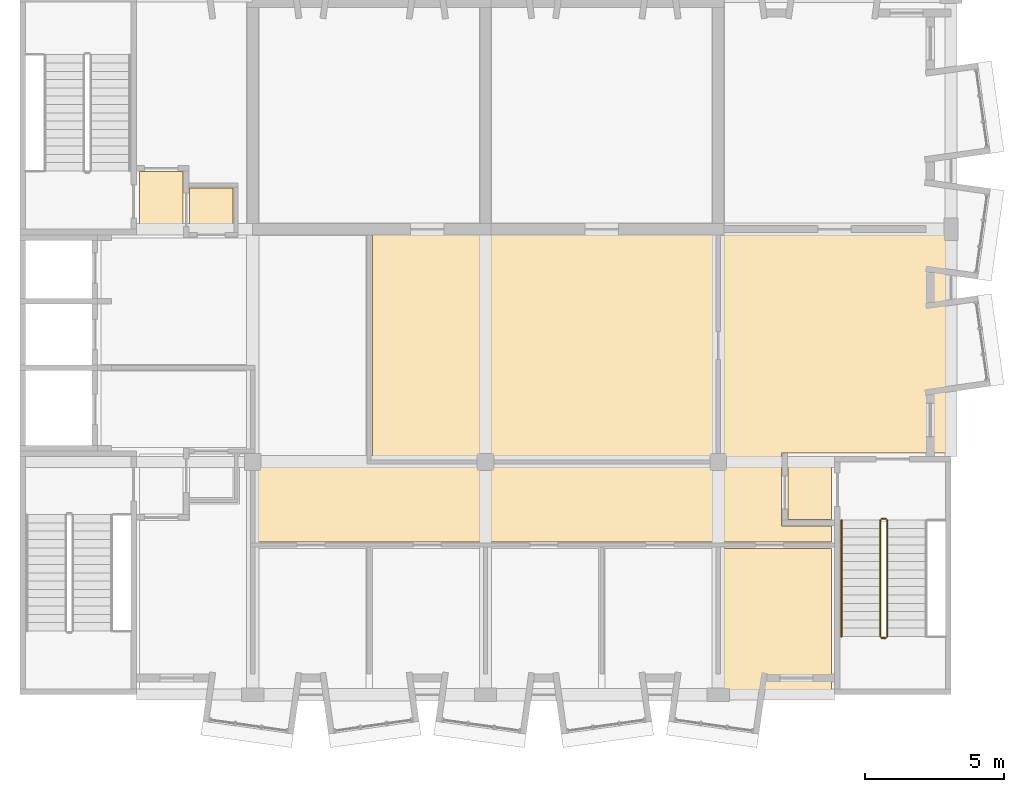
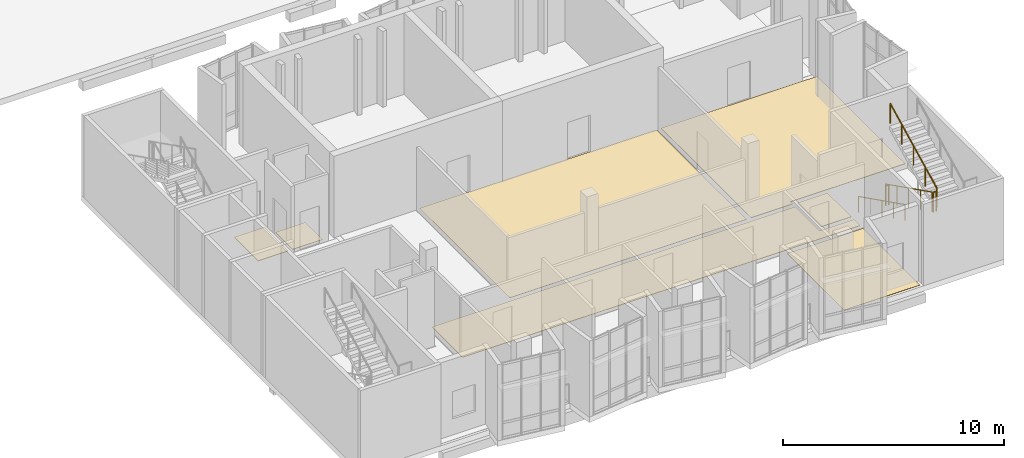
# One storey, part 16 of 19: 7 coverings, 5 railings.
"""IFC4 building model written with IfcOpenShell, lengths in metres."""

from ifc_helpers import new_model, si_unit, direction, frame, origin, origin_2d, place, context, subcontext, project, spatial, polyline, circle, outline, extrude, material, layer, layer_set, type_object, element, save


model = new_model("IFC4")

# Units and contexts
model_context = context("Model", 3, precision=1e-05, world=origin(), true_north=direction((0.0, 1.0)))
body_context = subcontext(model_context, "Body", "Model", "MODEL_VIEW")
ifc_project = project(units=[si_unit("LENGTHUNIT", "METRE"), si_unit("AREAUNIT", "SQUARE_METRE"), si_unit("VOLUMEUNIT", "CUBIC_METRE"), si_unit("PLANEANGLEUNIT", "RADIAN"), si_unit("MASSUNIT", "GRAM", prefix="KILO")], contexts=[model_context])

# Site, building, storey
site_placement = place(None, origin())
site = spatial("IfcSite", under=ifc_project, at=site_placement, CompositionType="ELEMENT")
building_placement = place(site_placement, origin())
building = spatial("IfcBuilding", under=site, at=building_placement, Name="Kiln Court Media Centre", CompositionType="ELEMENT")
storey_placement = place(building_placement, frame((0.0, 0.0, 29.10009765625)))
storey = spatial("IfcBuildingStorey", under=building, at=storey_placement, Name="L06", CompositionType="ELEMENT", Elevation=29.10009765625)

# Coverings
ifc_material_1 = material(Name="Carpet tile")
ifc_layer_1 = layer(ifc_material_1, 0.014892578125)
ifc_layer_set_1 = layer_set([ifc_layer_1], Name="Carpet tile floor finish 15")
covering_type_1 = type_object("IfcCoveringType", Name="Carpet tile floor finish 15", PredefinedType="FLOORING", material=ifc_layer_set_1)
covering_1_placement = place(storey_placement, origin())
element("IfcCovering", 1, at=covering_1_placement, inside=storey, type_object=covering_type_1, Name="Editing Suite 9 floor finish", PredefinedType="FLOORING", context=body_context, shape_type="SweptSolid", body=[
    extrude(outline(polyline([(25.320068359375, 0.1201171875), (29.280029296875, 0.1201171875), (29.280029296875, 5.280029296875), (25.320068359375, 5.280029296875), (25.320068359375, 0.1201171875)])), origin(), (0.0, 0.0, 1.0), 0.014892578125),
])
covering_2_placement = place(storey_placement, origin())
element("IfcCovering", 2, at=covering_2_placement, inside=storey, type_object=covering_type_1, Name="Production Floor floor finish", PredefinedType="FLOORING", context=body_context, shape_type="SweptSolid", body=[
    extrude(outline(polyline([(12.719970703125, 8.52001953125), (25.080078125, 8.52001953125), (25.080078125, 16.679931640625), (12.719970703125, 16.679931640625), (12.719970703125, 8.52001953125)])), origin(), (0.0, 0.0, 1.0), 0.014892578125),
])
ifc_material_2 = material(Name="Terrazzo")
ifc_layer_2 = layer(ifc_material_2, 0.02490234375)
ifc_layer_set_2 = layer_set([ifc_layer_2], Name="Polished terrazzo floor finish 25")
covering_type_2 = type_object("IfcCoveringType", Name="Polished terrazzo floor finish 25", PredefinedType="FLOORING", material=ifc_layer_set_2)
covering_3_placement = place(storey_placement, origin())
element("IfcCovering", 3, at=covering_3_placement, inside=storey, type_object=covering_type_2, Name="Production Gallery floor finish", PredefinedType="FLOORING", context=body_context, shape_type="SweptSolid", body=[
    extrude(outline(polyline([(29.280029296875, 5.52001953125), (29.280029296875, 6.080078125), (27.47998046875, 6.080078125), (27.47998046875, 8.280029296875), (8.52001953125, 8.280029296875), (8.52001953125, 5.52001953125), (29.280029296875, 5.52001953125)])), origin(), (0.0, 0.0, 1.0), 0.02490234375),
])
covering_4_placement = place(storey_placement, origin())
element("IfcCovering", 4, at=covering_4_placement, inside=storey, type_object=covering_type_2, Name="Stair 3 Vestibule floor finish", PredefinedType="FLOORING", context=body_context, shape_type="SweptSolid", body=[
    extrude(outline(polyline([(27.719970703125, 6.320068359375), (29.280029296875, 6.320068359375), (29.280029296875, 8.47998046875), (27.719970703125, 8.47998046875), (27.719970703125, 6.320068359375)])), origin(), (0.0, 0.0, 1.0), 0.02490234375),
])
covering_5_placement = place(storey_placement, origin())
element("IfcCovering", 5, at=covering_5_placement, inside=storey, type_object=covering_type_2, Name="East Lobby floor finish", PredefinedType="FLOORING", context=body_context, shape_type="SweptSolid", body=[
    extrude(outline(polyline([(25.320068359375, 8.52001953125), (27.47998046875, 8.52001953125), (27.47998046875, 8.719970703125), (33.47998046875, 8.719970703125), (33.47998046875, 16.679931640625), (25.320068359375, 16.679931640625), (25.320068359375, 8.52001953125)])), origin(), (0.0, 0.0, 1.0), 0.02490234375),
])
covering_6_placement = place(storey_placement, origin())
element("IfcCovering", 6, at=covering_6_placement, inside=storey, type_object=covering_type_2, Name="Stair 2 Vestibule floor finish", PredefinedType="FLOORING", context=body_context, shape_type="SweptSolid", body=[
    extrude(outline(polyline([(4.320068359375, 16.719970703125), (5.8798828125, 16.719970703125), (5.8798828125, 18.8798828125), (4.320068359375, 18.8798828125), (4.320068359375, 16.719970703125)])), origin(), (0.0, 0.0, 1.0), 0.02490234375),
])
covering_7_placement = place(storey_placement, origin())
element("IfcCovering", 7, at=covering_7_placement, inside=storey, type_object=covering_type_2, Name="Wheelchair Refuge floor finish", PredefinedType="FLOORING", context=body_context, shape_type="SweptSolid", body=[
    extrude(outline(polyline([(6.1201171875, 16.719970703125), (7.679931640625, 16.719970703125), (7.679931640625, 18.280029296875), (6.1201171875, 18.280029296875), (6.1201171875, 16.719970703125)])), origin(), (0.0, 0.0, 1.0), 0.02490234375),
])

# Railings
ifc_material_3 = material(Name="Steel S275", Category="steel")
railing_type_1 = type_object("IfcRailingType", Name="Steel S275 stair guard 1100", PredefinedType="GUARDRAIL", material=ifc_material_3)
railing_1_placement = place(storey_placement, frame((31.050048828125, 6.300048828125, 0.14990234375)))
element("IfcRailing", 8, at=railing_1_placement, inside=storey, type_object=railing_type_1, Name="ST-03 stair guard", PredefinedType="GUARDRAIL", context=body_context, shape_type="SweptSolid", body=[
    extrude(circle(Radius=0.02392578125, at=origin_2d()), frame((0.0, 0.0, 1.076171875), z_axis=(0.0, -0.894416792377, 0.447234392142), x_axis=(1.0, 0.0, 0.0)), (0.0, 0.0, 1.0), 4.69580078125),
    extrude(circle(Radius=0.02099609375, at=origin_2d()), origin(), (0.0, 0.0, 1.0), 1.052001953125),
    extrude(circle(Radius=0.02099609375, at=origin_2d()), frame((0.0, -1.050048828125, 0.52490234375)), (0.0, 0.0, 1.0), 1.052001953125),
    extrude(circle(Radius=0.02099609375, at=origin_2d()), frame((0.0, -2.10009765625, 1.050048828125)), (0.0, 0.0, 1.0), 1.052001953125),
    extrude(circle(Radius=0.02099609375, at=origin_2d()), frame((0.0, -3.14990234375, 1.5751953125)), (0.0, 0.0, 1.0), 1.052001953125),
    extrude(circle(Radius=0.02099609375, at=origin_2d()), frame((0.0, -4.199951171875, 2.10009765625)), (0.0, 0.0, 1.0), 1.052001953125),
])
railing_2_placement = place(storey_placement, frame((31.10009765625, 2.050048828125, 2.25)))
element("IfcRailing", 9, at=railing_2_placement, inside=storey, type_object=railing_type_1, Name="ST-03 stair guard", PredefinedType="GUARDRAIL", context=body_context, shape_type="SweptSolid", body=[
    extrude(circle(Radius=0.02392578125, at=origin_2d()), frame((0.0, 0.0, 1.076171875), z_axis=(1.0, 0.0, 0.0), x_axis=(0.0, 1.0, 0.0)), (0.0, 0.0, 1.0), 0.14990234375),
    extrude(circle(Radius=0.02099609375, at=origin_2d()), origin(), (0.0, 0.0, 1.0), 1.052001953125),
    extrude(circle(Radius=0.02099609375, at=origin_2d()), frame((0.14990234375, 0.0, 0.0)), (0.0, 0.0, 1.0), 1.052001953125),
])
railing_3_placement = place(storey_placement, frame((31.300048828125, 2.10009765625, 2.39990234375)))
element("IfcRailing", 10, at=railing_3_placement, inside=storey, type_object=railing_type_1, Name="ST-03 stair guard", PredefinedType="GUARDRAIL", context=body_context, shape_type="SweptSolid", body=[
    extrude(circle(Radius=0.02392578125, at=origin_2d()), frame((0.0, 0.0, 1.076171875), z_axis=(0.0, 0.894416792377, 0.447234392142), x_axis=(-1.0, 0.0, 0.0)), (0.0, 0.0, 1.0), 4.69580078125),
    extrude(circle(Radius=0.02099609375, at=origin_2d()), origin(), (0.0, 0.0, 1.0), 1.052001953125),
    extrude(circle(Radius=0.02099609375, at=origin_2d()), frame((0.0, 1.050048828125, 0.52490234375)), (0.0, 0.0, 1.0), 1.052001953125),
    extrude(circle(Radius=0.02099609375, at=origin_2d()), frame((0.0, 2.10009765625, 1.050048828125)), (0.0, 0.0, 1.0), 1.052001953125),
    extrude(circle(Radius=0.02099609375, at=origin_2d()), frame((0.0, 3.14990234375, 1.5751953125)), (0.0, 0.0, 1.0), 1.052001953125),
    extrude(circle(Radius=0.02099609375, at=origin_2d()), frame((0.0, 4.199951171875, 2.10009765625)), (0.0, 0.0, 1.0), 1.052001953125),
])
railing_4_placement = place(storey_placement, frame((31.10009765625, 6.35009765625, 0.0)))
element("IfcRailing", 11, at=railing_4_placement, inside=storey, type_object=railing_type_1, Name="ST-03 stair guard", PredefinedType="GUARDRAIL", context=body_context, shape_type="SweptSolid", body=[
    extrude(circle(Radius=0.02392578125, at=origin_2d()), frame((0.0, 0.0, 1.076171875), z_axis=(1.0, 0.0, 0.0), x_axis=(0.0, 1.0, 0.0)), (0.0, 0.0, 1.0), 0.14990234375),
    extrude(circle(Radius=0.02099609375, at=origin_2d()), origin(), (0.0, 0.0, 1.0), 1.052001953125),
    extrude(circle(Radius=0.02099609375, at=origin_2d()), frame((0.14990234375, 0.0, 0.0)), (0.0, 0.0, 1.0), 1.052001953125),
])
ifc_material_4 = material(Name="Steel S275", Category="steel")
railing_type_2 = type_object("IfcRailingType", Name="Steel S275 stair handrail 900", PredefinedType="HANDRAIL", material=ifc_material_4)
railing_5_placement = place(storey_placement, frame((29.64990234375, 6.300048828125, 0.14990234375)))
element("IfcRailing", 12, at=railing_5_placement, inside=storey, type_object=railing_type_2, Name="ST-03 stair handrail", PredefinedType="HANDRAIL", context=body_context, shape_type="SweptSolid", body=[
    extrude(circle(Radius=0.02392578125, at=origin_2d()), frame((0.0, 0.0, 0.8759765625), z_axis=(0.0, -0.894416792377, 0.447234392142), x_axis=(1.0, 0.0, 0.0)), (0.0, 0.0, 1.0), 4.69580078125),
    extrude(circle(Radius=0.02099609375, at=origin_2d()), origin(), (0.0, 0.0, 1.0), 0.851806640625),
    extrude(circle(Radius=0.02099609375, at=origin_2d()), frame((0.0, -1.050048828125, 0.52490234375)), (0.0, 0.0, 1.0), 0.851806640625),
    extrude(circle(Radius=0.02099609375, at=origin_2d()), frame((0.0, -2.10009765625, 1.050048828125)), (0.0, 0.0, 1.0), 0.851806640625),
    extrude(circle(Radius=0.02099609375, at=origin_2d()), frame((0.0, -3.14990234375, 1.5751953125)), (0.0, 0.0, 1.0), 0.851806640625),
    extrude(circle(Radius=0.02099609375, at=origin_2d()), frame((0.0, -4.199951171875, 2.10009765625)), (0.0, 0.0, 1.0), 0.851806640625),
])

save(model, "model.ifc")
